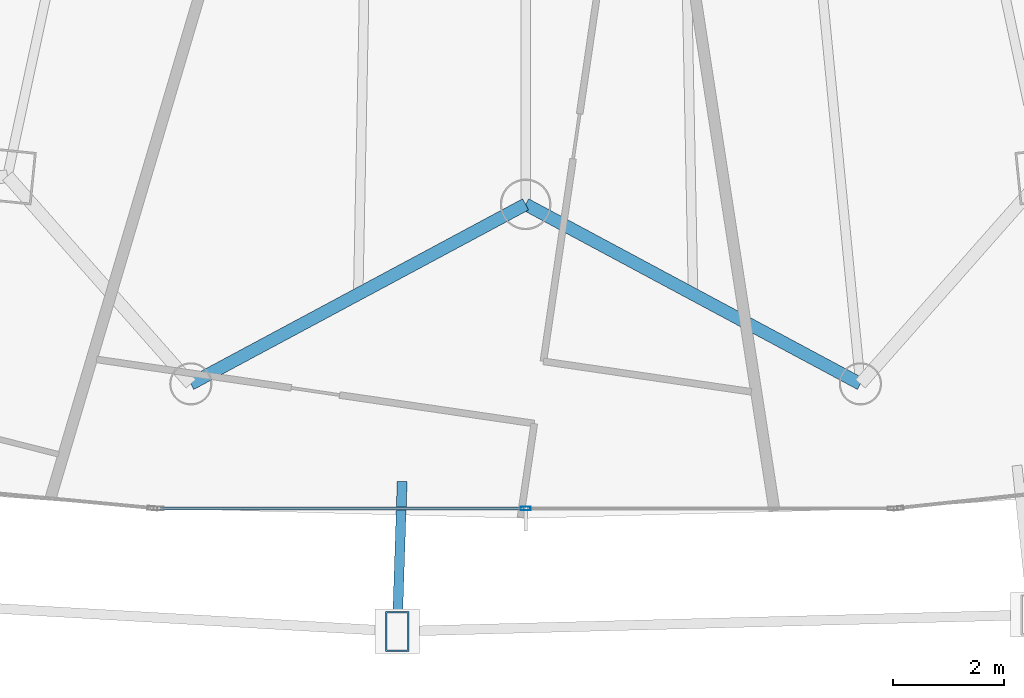
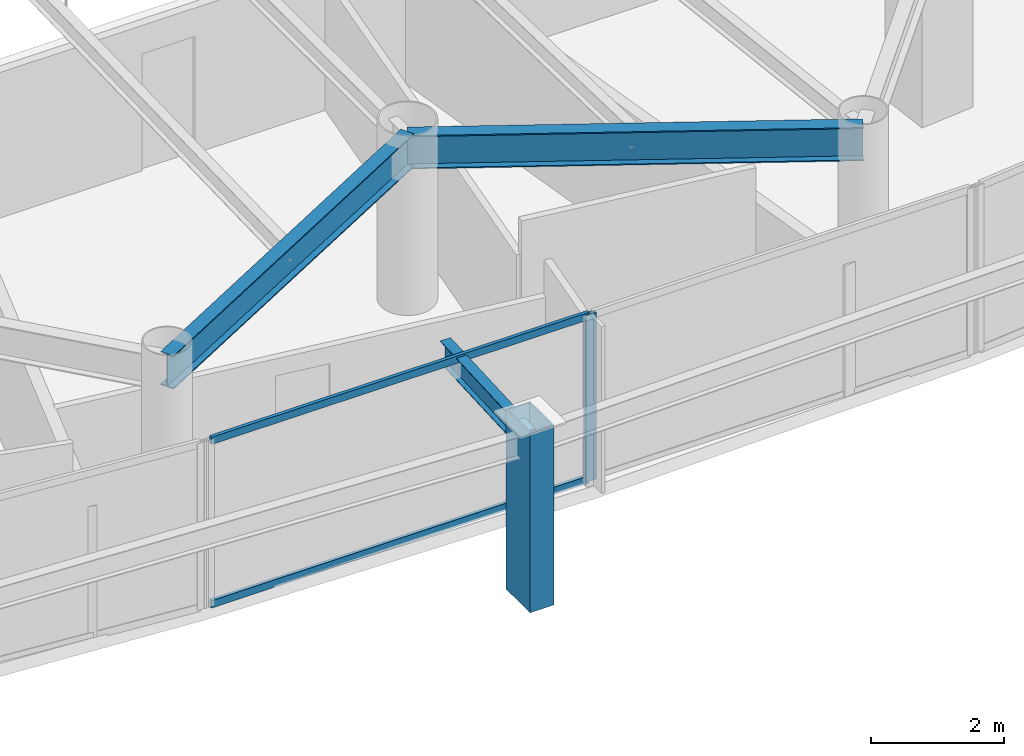
# One storey, part 7 of 35: 4 members, 3 beams, 1 element without a shape of its own.
"""IFC4 building model written with IfcOpenShell, lengths in metres."""

from ifc_helpers import new_model, si_unit, direction, frame, origin, origin_2d, place, context, subcontext, project, spatial, hollow_rectangle, i_section, extrude, material, layer, layer_set, material_profile, profile_set, type_object, element, aggregate, save


model = new_model("IFC4")

# Units and contexts
model_context = context("Model", 3, precision=1e-05, world=origin(), true_north=direction((0.0, 1.0)))
body_context = subcontext(model_context, "Body", "Model", "MODEL_VIEW")
ifc_project = project(units=[si_unit("LENGTHUNIT", "METRE"), si_unit("AREAUNIT", "SQUARE_METRE"), si_unit("VOLUMEUNIT", "CUBIC_METRE"), si_unit("PLANEANGLEUNIT", "RADIAN"), si_unit("MASSUNIT", "GRAM", prefix="KILO")], contexts=[model_context])

# Site, building, storey
site_placement = place(None, origin())
site = spatial("IfcSite", under=ifc_project, at=site_placement, CompositionType="ELEMENT")
building_placement = place(site_placement, origin())
building = spatial("IfcBuilding", under=site, at=building_placement, Name="Orvanel Arch Residences", CompositionType="ELEMENT")
storey_placement = place(building_placement, frame((0.0, 0.0, 40.10009765625)))
storey = spatial("IfcBuildingStorey", under=building, at=storey_placement, Name="L10", CompositionType="ELEMENT", Elevation=40.10009765625)

# Member
ifc_material_1 = material(Name="Structural steel AS/NZS 3678 Grade 350", Category="steel")
ifc_material_profile_1 = material_profile(ifc_material_1, hollow_rectangle(XDim=0.419921875, YDim=0.719970703125, WallThickness=0.02490234375, at=origin_2d()), Name="RHS720x420x25")
ifc_profile_set_1 = profile_set([ifc_material_profile_1], Name="Structural steel AS/NZS 3678 Grade 350")
member_type_1 = type_object("IfcMemberType", Name="CH-720RHS-EXT", PredefinedType="CHORD", material=ifc_profile_set_1)
member_1_placement = place(storey_placement, frame((30.681884765625, -0.861083984375, 0.0), z_axis=(0.0, 0.0, 1.0), x_axis=(1.0, 0.0, 0.0)))
element("IfcMember", 1, at=member_1_placement, inside=storey, type_object=member_type_1, Name="L10 Outer Perimeter Frame Post 06", PredefinedType="CHORD", context=body_context, shape_type="SweptSolid", body=[
    extrude(hollow_rectangle(XDim=0.419921875, YDim=0.719970703125, WallThickness=0.02490234375, at=origin_2d()), origin(), (0.0, 0.0, 1.0), 3.2998046875),
])

# Curtain wall, member
ifc_material_2 = material(Name="Bronze-anodised aluminium AA6063-T6", Category="aluminium")
ifc_layer = layer(ifc_material_2, 0.179931640625)
ifc_layer_set = layer_set([ifc_layer], Name="Bronze-anodised aluminium AA6063-T6")
curtain_wall_type = type_object("IfcCurtainWallType", Name="CW2-LOW-SYS", PredefinedType="NOTDEFINED", material=ifc_layer_set)
curtain_wall_placement = place(storey_placement, origin())
curtain_wall = element("IfcCurtainWall", 2, at=curtain_wall_placement, inside=storey, type_object=curtain_wall_type, Name="L10 CW2-LOW-SYS Unitised Curtain Wall", PredefinedType="NOTDEFINED")
ifc_material_profile_2 = material_profile(ifc_material_2, hollow_rectangle(XDim=0.070068359375, YDim=0.179931640625, WallThickness=0.00439453125, at=origin_2d()), Name="ALU180x70x4.5")
ifc_profile_set_2 = profile_set([ifc_material_profile_2], Name="Bronze-anodised aluminium AA6063-T6")
member_type_2 = type_object("IfcMemberType", Name="MUL-180x70", PredefinedType="MULLION", material=ifc_profile_set_2)
member_2_placement = place(storey_placement, frame((33.0, 1.35595703125, 0.0), z_axis=(0.0, 0.0, 1.0), x_axis=(0.0, 1.0, 0.0)))
member_2 = element("IfcMember", 3, at=member_2_placement, type_object=member_type_2, Name="CW-S2 mullion 2", PredefinedType="MULLION", context=body_context, shape_type="SweptSolid", body=[
    extrude(hollow_rectangle(XDim=0.070068359375, YDim=0.179931640625, WallThickness=0.00439453125, at=origin_2d()), origin(), (0.0, 0.0, 1.0), 3.059814453125),
])

# Beams
ifc_material_3 = material(Name="Structural steel AS/NZS 3679.1 Grade 300 (300 MPa)", Category="steel")
ifc_material_profile_3 = material_profile(ifc_material_3, i_section(OverallWidth=0.177978515625, OverallDepth=0.406005859375, WebThickness=0.0078125, FlangeThickness=0.0126953125, at=origin_2d()), Name="410UB59.7")
ifc_profile_set_3 = profile_set([ifc_material_profile_3], Name="Structural steel AS/NZS 3679.1 Grade 300 (300 MPa)")
beam_type_1 = type_object("IfcBeamType", Name="OB-410UB-EXT", PredefinedType="SPANDREL", material=ifc_profile_set_3)
beam_placement = place(storey_placement, frame((30.77197265625, 1.842041015625, 2.85693359375), z_axis=(-0.033308819058, -0.999445107334, 0.0), x_axis=(0.999445107334, -0.033308819058, 0.0)))
element("IfcBeam", 4, at=beam_placement, inside=storey, type_object=beam_type_1, Name="L10 Outer Frame Radial Tie Beam 06", PredefinedType="SPANDREL", context=body_context, shape_type="SweptSolid", body=[
    extrude(i_section(OverallWidth=0.177978515625, OverallDepth=0.406005859375, WebThickness=0.0078125, FlangeThickness=0.0126953125, at=origin_2d()), origin(), (0.0, 0.0, 1.0), 2.70458984375),
])
ifc_material_profile_4 = material_profile(ifc_material_3, i_section(OverallWidth=0.22900390625, OverallDepth=0.612060546875, WebThickness=0.011962890625, FlangeThickness=0.01953125, at=origin_2d()), Name="610UB125")
ifc_profile_set_4 = profile_set([ifc_material_profile_4], Name="Structural steel AS/NZS 3679.1 Grade 300 (300 MPa)")
beam_type_2 = type_object("IfcBeamType", Name="SP-610UB", PredefinedType="SPANDREL", material=ifc_profile_set_4)
for number, where, z_axis, x_axis, name in (
    (5, (26.9580078125, 3.60498046875, 2.75390625), (0.881344400551, 0.472474388319, 0.0), (-0.472474388319, 0.881344400551, 0.0), "L10 Perimeter Spandrel Beam 06"),
    (6, (33.0, 6.843994140625, 2.75390625), (0.881344400551, -0.472474388319, 0.0), (0.472474388319, 0.881344400551, 0.0), "L10 Perimeter Spandrel Beam 07"),
):
    element("IfcBeam", number, at=place(storey_placement, frame(where, z_axis=z_axis, x_axis=x_axis)), inside=storey, type_object=beam_type_2, Name=name, PredefinedType="SPANDREL", context=body_context, shape_type="SweptSolid", body=[
        extrude(i_section(OverallWidth=0.22900390625, OverallDepth=0.612060546875, WebThickness=0.011962890625, FlangeThickness=0.01953125, at=origin_2d()), origin(), (0.0, 0.0, 1.0), 6.85546875),
    ])

# Member
ifc_material_profile_5 = material_profile(ifc_material_2, hollow_rectangle(XDim=0.06005859375, YDim=0.135009765625, WallThickness=0.00390625, at=origin_2d()), Name="ALU135x60x4")
ifc_profile_set_5 = profile_set([ifc_material_profile_5], Name="Bronze-anodised aluminium AA6063-T6")
member_type_3 = type_object("IfcMemberType", Name="TRN-135x60", PredefinedType="USERDEFINED", material=ifc_profile_set_5)
member_3_placement = place(storey_placement, frame((26.412109375, 1.35595703125, 0.02978515625), z_axis=(1.0, 0.0, 0.0), x_axis=(0.0, 1.0, 0.0)))
member_3 = element("IfcMember", 7, at=member_3_placement, type_object=member_type_3, Name="CW-S2 transom 1.1", ObjectType="TRANSOM", PredefinedType="USERDEFINED", context=body_context, shape_type="SweptSolid", body=[
    extrude(hollow_rectangle(XDim=0.06005859375, YDim=0.135009765625, WallThickness=0.00390625, at=origin_2d()), origin(), (0.0, 0.0, 1.0), 6.552978515625),
])

member_4_placement = place(storey_placement, frame((26.412109375, 1.35595703125, 3.02978515625), z_axis=(1.0, 0.0, 0.0), x_axis=(0.0, 1.0, 0.0)))
member_4 = element("IfcMember", 8, at=member_4_placement, type_object=member_type_3, Name="CW-S2 transom 1.2", ObjectType="TRANSOM", PredefinedType="USERDEFINED", context=body_context, shape_type="SweptSolid", body=[
    extrude(hollow_rectangle(XDim=0.06005859375, YDim=0.135009765625, WallThickness=0.00390625, at=origin_2d()), origin(), (0.0, 0.0, 1.0), 6.552978515625),
])

aggregate(curtain_wall, [member_2, member_3, member_4])

save(model, "model.ifc")
